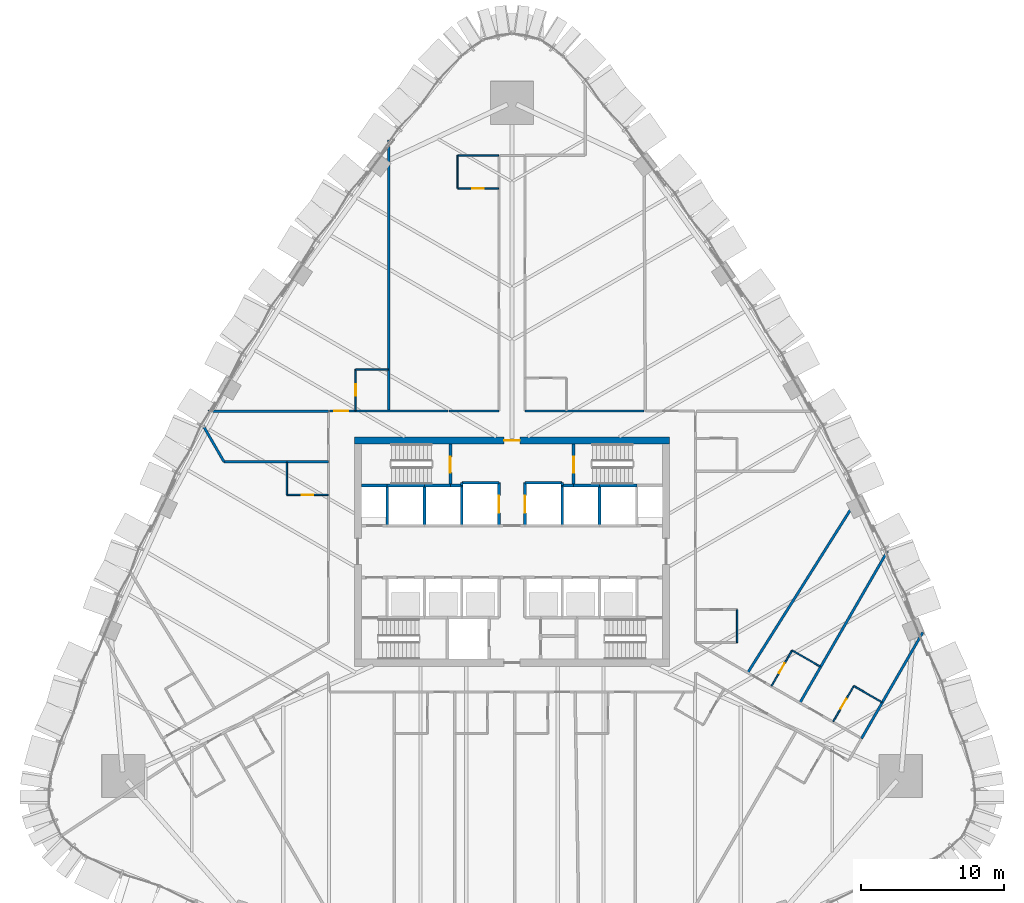
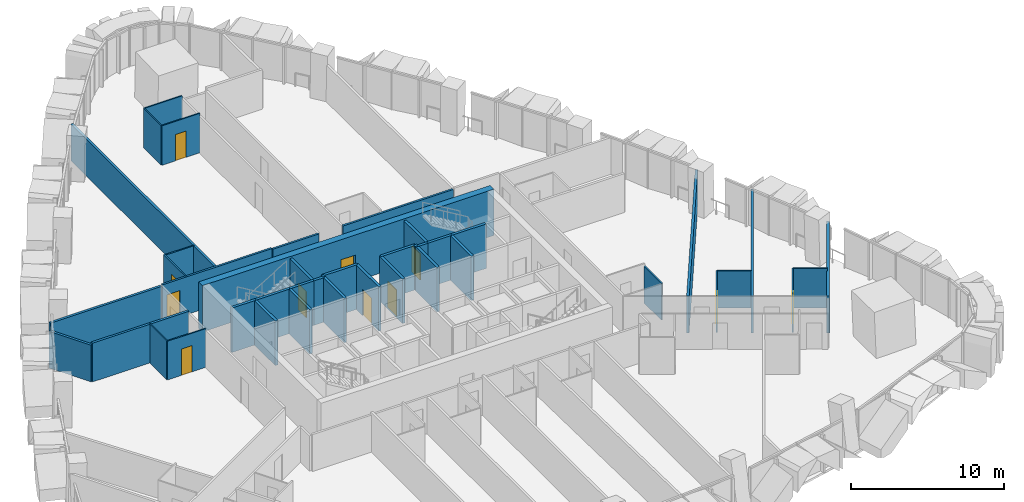
# One storey, part 17 of 23: 43 walls, 11 doors, 11 openings.
"""IFC4 building model written with IfcOpenShell, lengths in metres."""

from ifc_helpers import new_model, si_unit, direction, frame, frame_2d, origin, place, context, subcontext, project, spatial, rectangle, extrude, material, layer, layer_set, type_object, element, fill, save


model = new_model("IFC4")

# Units and contexts
model_context = context("Model", 3, precision=1e-05, world=origin(), true_north=direction((0.0, 1.0)))
body_context = subcontext(model_context, "Body", "Model", "MODEL_VIEW")
ifc_project = project(units=[si_unit("LENGTHUNIT", "METRE"), si_unit("AREAUNIT", "SQUARE_METRE"), si_unit("VOLUMEUNIT", "CUBIC_METRE"), si_unit("PLANEANGLEUNIT", "RADIAN"), si_unit("MASSUNIT", "GRAM", prefix="KILO")], contexts=[model_context])

# Site, building, storey
site_placement = place(None, origin())
site = spatial("IfcSite", under=ifc_project, at=site_placement, CompositionType="ELEMENT")
building_placement = place(site_placement, origin())
building = spatial("IfcBuilding", under=site, at=building_placement, Name="Sierra Prisma Convention Tower", CompositionType="ELEMENT")
storey_placement = place(building_placement, frame((0.0, 0.0, 51.699951171875)))
storey = spatial("IfcBuildingStorey", under=building, at=storey_placement, Name="L08", CompositionType="ELEMENT", Elevation=51.699951171875)

# Wall, opening, door
ifc_material_1 = material(Name="Gypsum board partition", Category="gypsum")
ifc_layer_1 = layer(ifc_material_1, 0.10009765625)
ifc_layer_set_1 = layer_set([ifc_layer_1], Name="Bathroom partition 100")
wall_type_1 = type_object("IfcWallType", Name="Bathroom partition 100", PredefinedType="PARTITIONING", material=ifc_layer_set_1)
wall_1_placement = place(storey_placement, frame((-12.830078125, 3.94921875, 0.0), z_axis=(0.0, 0.0, 1.0), x_axis=(-1.0, 0.0, 0.0)))
wall_1 = element("IfcWall", 1, at=wall_1_placement, inside=storey, type_object=wall_type_1, Name="Partition L08 bath 8", PredefinedType="PARTITIONING", context=body_context, shape_type="SweptSolid", body=[
    extrude(rectangle(XDim=2.869873046875, YDim=0.10009765625, at=frame_2d((1.43505859375, 0.0))), origin(), (0.0, 0.0, 1.0), 3.093017578125),
])
opening_1_placement = place(wall_1_placement, frame((1.034912109375, 0.0, 0.0)))
opening_1 = element("IfcOpeningElement", 2, at=opening_1_placement, cuts=wall_1, Name="Opening L08-D006", PredefinedType="OPENING", context=body_context, shape_type="SweptSolid", body=[
    extrude(rectangle(XDim=0.800048828125, YDim=2.10009765625, at=frame_2d((0.39990234375, 1.050048828125))), frame((0.0, 0.050048828125, 0.0), z_axis=(0.0, -1.0, 0.0), x_axis=(1.0, 0.0, 0.0)), (0.0, 0.0, 1.0), 0.10009765625),
])
ifc_material_2 = material(Name="Solid core timber door leaf", Category="wood")
door_type_1 = type_object("IfcDoorType", Name="Door 800x2100 plain", OperationType="SINGLE_SWING_LEFT", PredefinedType="DOOR", material=ifc_material_2)
door_1_placement = place(opening_1_placement, origin())
door_1 = element("IfcDoor", 3, at=door_1_placement, inside=storey, type_object=door_type_1, Name="Door L08 14", OperationType="SINGLE_SWING_LEFT", OverallHeight=2.10009765625, OverallWidth=0.800048828125, PredefinedType="DOOR", context=body_context, shape_type="SweptSolid", body=[
    extrude(rectangle(XDim=0.800048828125, YDim=2.10009765625, at=frame_2d((0.39990234375, 1.050048828125))), frame((0.0, 0.02490234375, 0.0), z_axis=(0.0, -1.0, 0.0), x_axis=(1.0, 0.0, 0.0)), (0.0, 0.0, 1.0), 0.050048828125),
])
fill(opening_1, door_1)

# Wall
wall_2_placement = place(storey_placement, frame((-15.699951171875, 3.94921875, 0.0), z_axis=(0.0, 0.0, 1.0), x_axis=(0.0, 1.0, 0.0)))
element("IfcWall", 4, at=wall_2_placement, inside=storey, type_object=wall_type_1, Name="Partition L08 bath 9", PredefinedType="PARTITIONING", context=body_context, shape_type="SweptSolid", body=[
    extrude(rectangle(XDim=2.269775390625, YDim=0.10009765625, at=frame_2d((1.134765625, 0.0))), origin(), (0.0, 0.0, 1.0), 3.093017578125),
])

# Wall, opening, door
wall_3_placement = place(storey_placement, frame((-10.89990234375, 9.830078125, 0.0), z_axis=(0.0, 0.0, 1.0), x_axis=(0.0, 1.0, 0.0)))
wall_3 = element("IfcWall", 5, at=wall_3_placement, inside=storey, type_object=wall_type_1, Name="Partition L08 bath 10", PredefinedType="PARTITIONING", context=body_context, shape_type="SweptSolid", body=[
    extrude(rectangle(XDim=2.869873046875, YDim=0.10009765625, at=frame_2d((1.43505859375, 0.0))), origin(), (0.0, 0.0, 1.0), 3.01708984375),
])
opening_2_placement = place(wall_3_placement, frame((1.034912109375, 0.0, 0.0)))
opening_2 = element("IfcOpeningElement", 6, at=opening_2_placement, cuts=wall_3, Name="Opening L08-D005", PredefinedType="OPENING", context=body_context, shape_type="SweptSolid", body=[
    extrude(rectangle(XDim=0.800048828125, YDim=2.10009765625, at=frame_2d((0.39990234375, 1.050048828125))), frame((0.0, 0.050048828125, 0.0), z_axis=(0.0, -1.0, 0.0), x_axis=(1.0, 0.0, 0.0)), (0.0, 0.0, 1.0), 0.10009765625),
])
door_2_placement = place(opening_2_placement, origin())
door_2 = element("IfcDoor", 7, at=door_2_placement, inside=storey, type_object=door_type_1, Name="Door L08 11", OperationType="SINGLE_SWING_LEFT", OverallHeight=2.10009765625, OverallWidth=0.800048828125, PredefinedType="DOOR", context=body_context, shape_type="SweptSolid", body=[
    extrude(rectangle(XDim=0.800048828125, YDim=2.10009765625, at=frame_2d((0.39990234375, 1.050048828125))), frame((0.0, 0.02490234375, 0.0), z_axis=(0.0, -1.0, 0.0), x_axis=(1.0, 0.0, 0.0)), (0.0, 0.0, 1.0), 0.050048828125),
])
fill(opening_2, door_2)

# Wall
wall_4_placement = place(storey_placement, frame((-10.89990234375, 12.699951171875, 0.0), z_axis=(0.0, 0.0, 1.0), x_axis=(1.0, 0.0, 0.0)))
element("IfcWall", 8, at=wall_4_placement, inside=storey, type_object=wall_type_1, Name="Partition L08 bath 11", PredefinedType="PARTITIONING", context=body_context, shape_type="SweptSolid", body=[
    extrude(rectangle(XDim=2.27001953125, YDim=0.10009765625, at=frame_2d((1.135009765625, 0.0))), origin(), (0.0, 0.0, 1.0), 2.947021484375),
])

# Wall, opening, door
wall_5_placement = place(storey_placement, frame((-0.929931640625, 25.3251953125, 0.0), z_axis=(0.0, 0.0, 1.0), x_axis=(-1.0, 0.0, 0.0)))
wall_5 = element("IfcWall", 9, at=wall_5_placement, inside=storey, type_object=wall_type_1, Name="Partition L08 bath 16", PredefinedType="PARTITIONING", context=body_context, shape_type="SweptSolid", body=[
    extrude(rectangle(XDim=2.8701171875, YDim=0.10009765625, at=frame_2d((1.43505859375, 0.0))), origin(), (0.0, 0.0, 1.0), 3.150146484375),
])
opening_3_placement = place(wall_5_placement, frame((1.034912109375, 0.0, 0.0)))
opening_3 = element("IfcOpeningElement", 10, at=opening_3_placement, cuts=wall_5, Name="Opening L08-D004", PredefinedType="OPENING", context=body_context, shape_type="SweptSolid", body=[
    extrude(rectangle(XDim=0.800048828125, YDim=2.10009765625, at=frame_2d((0.39990234375, 1.050048828125))), frame((0.0, 0.050048828125, 0.0), z_axis=(0.0, -1.0, 0.0), x_axis=(1.0, 0.0, 0.0)), (0.0, 0.0, 1.0), 0.10009765625),
])
door_3_placement = place(opening_3_placement, origin())
door_3 = element("IfcDoor", 11, at=door_3_placement, inside=storey, type_object=door_type_1, Name="Door L08 9", OperationType="SINGLE_SWING_RIGHT", OverallHeight=2.10009765625, OverallWidth=0.800048828125, PredefinedType="DOOR", context=body_context, shape_type="SweptSolid", body=[
    extrude(rectangle(XDim=0.800048828125, YDim=2.10009765625, at=frame_2d((0.39990234375, 1.050048828125))), frame((0.0, 0.02490234375, 0.0), z_axis=(0.0, -1.0, 0.0), x_axis=(1.0, 0.0, 0.0)), (0.0, 0.0, 1.0), 0.050048828125),
])
fill(opening_3, door_3)

# Walls
wall_6_placement = place(storey_placement, frame((-3.800048828125, 25.3251953125, 0.0), z_axis=(0.0, 0.0, 1.0), x_axis=(0.0, 1.0, 0.0)))
element("IfcWall", 12, at=wall_6_placement, inside=storey, type_object=wall_type_1, Name="Partition L08 bath 17", PredefinedType="PARTITIONING", context=body_context, shape_type="SweptSolid", body=[
    extrude(rectangle(XDim=2.300048828125, YDim=0.10009765625, at=frame_2d((1.14990234375, 0.0))), origin(), (0.0, 0.0, 1.0), 3.150146484375),
])
wall_7_placement = place(storey_placement, frame((-3.800048828125, 27.625244140625, 0.0), z_axis=(0.0, 0.0, 1.0), x_axis=(1.0, 0.0, 0.0)))
element("IfcWall", 13, at=wall_7_placement, inside=storey, type_object=wall_type_1, Name="Partition L08 bath 18", PredefinedType="PARTITIONING", context=body_context, shape_type="SweptSolid", body=[
    extrude(rectangle(XDim=2.8701171875, YDim=0.10009765625, at=frame_2d((1.43505859375, 0.0))), origin(), (0.0, 0.0, 1.0), 3.150146484375),
])
wall_8_placement = place(storey_placement, frame((15.699951171875, -4.05078125, 0.0), z_axis=(0.0, 0.0, 1.0), x_axis=(0.0, -1.0, 0.0)))
element("IfcWall", 14, at=wall_8_placement, inside=storey, type_object=wall_type_1, Name="Partition L08 bath 29", PredefinedType="PARTITIONING", context=body_context, shape_type="SweptSolid", body=[
    extrude(rectangle(XDim=2.300048828125, YDim=0.10009765625, at=frame_2d((1.14990234375, 0.0))), origin(), (0.0, 0.0, 1.0), 2.947021484375),
])

# Wall, opening, door
wall_9_placement = place(storey_placement, frame((18.097900390625, -9.375, 0.0), z_axis=(0.0, 0.0, 1.0), x_axis=(0.499936001555, 0.866062350151, 0.0)))
wall_9 = element("IfcWall", 15, at=wall_9_placement, inside=storey, type_object=wall_type_1, Name="Partition L08 bath 33", PredefinedType="PARTITIONING", context=body_context, shape_type="SweptSolid", body=[
    extrude(rectangle(XDim=2.8701171875, YDim=0.10009765625, at=frame_2d((1.43505859375, 0.0))), origin(), (0.0, 0.0, 1.0), 2.947021484375),
])
opening_4_placement = place(wall_9_placement, frame((1.034912109375, 0.0, 0.0)))
opening_4 = element("IfcOpeningElement", 16, at=opening_4_placement, cuts=wall_9, Name="Opening L08-D017", PredefinedType="OPENING", context=body_context, shape_type="SweptSolid", body=[
    extrude(rectangle(XDim=0.800048828125, YDim=2.10009765625, at=frame_2d((0.39990234375, 1.050048828125))), frame((0.0, 0.050048828125, 0.0), z_axis=(0.0, -1.0, 0.0), x_axis=(1.0, 0.0, 0.0)), (0.0, 0.0, 1.0), 0.10009765625),
])
door_4_placement = place(opening_4_placement, origin())
door_4 = element("IfcDoor", 17, at=door_4_placement, inside=storey, type_object=door_type_1, Name="Door L08 37", OperationType="SINGLE_SWING_RIGHT", OverallHeight=2.10009765625, OverallWidth=0.800048828125, PredefinedType="DOOR", context=body_context, shape_type="SweptSolid", body=[
    extrude(rectangle(XDim=0.800048828125, YDim=2.10009765625, at=frame_2d((0.39990234375, 1.050048828125))), frame((0.0, 0.02490234375, 0.0), z_axis=(0.0, -1.0, 0.0), x_axis=(1.0, 0.0, 0.0)), (0.0, 0.0, 1.0), 0.050048828125),
])
fill(opening_4, door_4)

# Wall
wall_10_placement = place(storey_placement, frame((19.53271484375, -6.889404296875, 0.0), z_axis=(0.0, 0.0, 1.0), x_axis=(0.866017224141, -0.500014167291, 0.0)))
element("IfcWall", 18, at=wall_10_placement, inside=storey, type_object=wall_type_1, Name="Partition L08 bath 34", PredefinedType="PARTITIONING", context=body_context, shape_type="SweptSolid", body=[
    extrude(rectangle(XDim=2.27001953125, YDim=0.10009765625, at=frame_2d((1.135009765625, 0.0))), origin(), (0.0, 0.0, 1.0), 2.947021484375),
])

# Wall, opening, door
wall_11_placement = place(storey_placement, frame((22.3974609375, -11.857421875, 0.0), z_axis=(0.0, 0.0, 1.0), x_axis=(0.499999802827, 0.866025517622, 0.0)))
wall_11 = element("IfcWall", 19, at=wall_11_placement, inside=storey, type_object=wall_type_1, Name="Partition L08 bath 37", PredefinedType="PARTITIONING", context=body_context, shape_type="SweptSolid", body=[
    extrude(rectangle(XDim=2.8701171875, YDim=0.10009765625, at=frame_2d((1.43505859375, 0.0))), origin(), (0.0, 0.0, 1.0), 3.150146484375),
])
opening_5_placement = place(wall_11_placement, frame((1.034912109375, 0.0, 0.0)))
opening_5 = element("IfcOpeningElement", 20, at=opening_5_placement, cuts=wall_11, Name="Opening L08-D016", PredefinedType="OPENING", context=body_context, shape_type="SweptSolid", body=[
    extrude(rectangle(XDim=0.800048828125, YDim=2.10009765625, at=frame_2d((0.39990234375, 1.050048828125))), frame((0.0, 0.050048828125, 0.0), z_axis=(0.0, -1.0, 0.0), x_axis=(1.0, 0.0, 0.0)), (0.0, 0.0, 1.0), 0.10009765625),
])
door_5_placement = place(opening_5_placement, origin())
door_5 = element("IfcDoor", 21, at=door_5_placement, inside=storey, type_object=door_type_1, Name="Door L08 35", OperationType="SINGLE_SWING_LEFT", OverallHeight=2.10009765625, OverallWidth=0.800048828125, PredefinedType="DOOR", context=body_context, shape_type="SweptSolid", body=[
    extrude(rectangle(XDim=0.800048828125, YDim=2.10009765625, at=frame_2d((0.39990234375, 1.050048828125))), frame((0.0, 0.02490234375, 0.0), z_axis=(0.0, -1.0, 0.0), x_axis=(1.0, 0.0, 0.0)), (0.0, 0.0, 1.0), 0.050048828125),
])
fill(opening_5, door_5)

# Walls
wall_12_placement = place(storey_placement, frame((23.83251953125, -9.371826171875, 0.0), z_axis=(0.0, 0.0, 1.0), x_axis=(0.866017224141, -0.500014167291, 0.0)))
element("IfcWall", 22, at=wall_12_placement, inside=storey, type_object=wall_type_1, Name="Partition L08 bath 38", PredefinedType="PARTITIONING", context=body_context, shape_type="SweptSolid", body=[
    extrude(rectangle(XDim=2.27001953125, YDim=0.10009765625, at=frame_2d((1.135009765625, 0.0))), origin(), (0.0, 0.0, 1.0), 3.150146484375),
])
ifc_material_3 = material(Name="Concrete C30/37", Category="concrete")
ifc_layer_2 = layer(ifc_material_3, 0.199951171875)
ifc_layer_set_2 = layer_set([ifc_layer_2], Name="Core wall RC 200 C30/37")
wall_type_2 = type_object("IfcWallType", Name="Core wall RC 200 C30/37", PredefinedType="SOLIDWALL", material=ifc_layer_set_2)
wall_13_placement = place(storey_placement, frame((-8.699951171875, 4.60009765625, 0.0), z_axis=(0.0, 0.0, 1.0), x_axis=(-1.0, 0.0, 0.0)))
element("IfcWall", 23, at=wall_13_placement, inside=storey, type_object=wall_type_2, Name="Core wall L08 4", PredefinedType="SOLIDWALL", context=body_context, shape_type="SweptSolid", body=[
    extrude(rectangle(XDim=1.800048828125, YDim=0.199951171875, at=frame_2d((0.89990234375, 0.0))), origin(), (0.0, 0.0, 1.0), 3.550048828125),
])
wall_14_placement = place(storey_placement, frame((-8.699951171875, 1.800048828125, 0.0), z_axis=(0.0, 0.0, 1.0), x_axis=(0.0, 1.0, 0.0)))
element("IfcWall", 24, at=wall_14_placement, inside=storey, type_object=wall_type_2, Name="Core wall L08 9", PredefinedType="SOLIDWALL", context=body_context, shape_type="SweptSolid", body=[
    extrude(rectangle(XDim=2.800048828125, YDim=0.199951171875, at=frame_2d((1.39990234375, 0.0))), origin(), (0.0, 0.0, 1.0), 3.550048828125),
])
wall_15_placement = place(storey_placement, frame((-6.10009765625, 4.60009765625, 0.0), z_axis=(0.0, 0.0, 1.0), x_axis=(-1.0, 0.0, 0.0)))
element("IfcWall", 25, at=wall_15_placement, inside=storey, type_object=wall_type_2, Name="Core wall L08 10", PredefinedType="SOLIDWALL", context=body_context, shape_type="SweptSolid", body=[
    extrude(rectangle(XDim=2.599853515625, YDim=0.199951171875, at=frame_2d((1.2998046875, 0.0))), origin(), (0.0, 0.0, 1.0), 3.550048828125),
])
wall_16_placement = place(storey_placement, frame((-6.10009765625, 1.800048828125, 0.0), z_axis=(0.0, 0.0, 1.0), x_axis=(0.0, 1.0, 0.0)))
element("IfcWall", 26, at=wall_16_placement, inside=storey, type_object=wall_type_2, Name="Core wall L08 15", PredefinedType="SOLIDWALL", context=body_context, shape_type="SweptSolid", body=[
    extrude(rectangle(XDim=2.800048828125, YDim=0.199951171875, at=frame_2d((1.39990234375, 0.0))), origin(), (0.0, 0.0, 1.0), 3.550048828125),
])
wall_17_placement = place(storey_placement, frame((-4.300048828125, 4.60009765625, 0.0), z_axis=(0.0, 0.0, 1.0), x_axis=(-1.0, 0.0, 0.0)))
element("IfcWall", 27, at=wall_17_placement, inside=storey, type_object=wall_type_2, Name="Core wall L08 16", PredefinedType="SOLIDWALL", context=body_context, shape_type="SweptSolid", body=[
    extrude(rectangle(XDim=1.800048828125, YDim=0.199951171875, at=frame_2d((0.89990234375, 0.0))), origin(), (0.0, 0.0, 1.0), 3.550048828125),
])
wall_18_placement = place(storey_placement, frame((-3.5, 4.60009765625, 0.0), z_axis=(0.0, 0.0, 1.0), x_axis=(-1.0, 0.0, 0.0)))
element("IfcWall", 28, at=wall_18_placement, inside=storey, type_object=wall_type_2, Name="Core wall L08 19", PredefinedType="SOLIDWALL", context=body_context, shape_type="SweptSolid", body=[
    extrude(rectangle(XDim=0.800048828125, YDim=0.199951171875, at=frame_2d((0.39990234375, 0.0))), origin(), (0.0, 0.0, 1.0), 3.550048828125),
])

# Wall, opening, door
wall_19_placement = place(storey_placement, frame((-4.300048828125, 4.60009765625, 0.0), z_axis=(0.0, 0.0, 1.0), x_axis=(0.0, 1.0, 0.0)))
wall_19 = element("IfcWall", 29, at=wall_19_placement, inside=storey, type_object=wall_type_2, Name="Core wall L08 20", PredefinedType="SOLIDWALL", context=body_context, shape_type="SweptSolid", body=[
    extrude(rectangle(XDim=2.89990234375, YDim=0.199951171875, at=frame_2d((1.449951171875, 0.0))), origin(), (0.0, 0.0, 1.0), 3.550048828125),
])
opening_6_placement = place(wall_19_placement, frame((0.89990234375, 0.0, 0.0)))
opening_6 = element("IfcOpeningElement", 30, at=opening_6_placement, cuts=wall_19, Name="Opening L08-D035", PredefinedType="OPENING", context=body_context, shape_type="SweptSolid", body=[
    extrude(rectangle(XDim=1.10009765625, YDim=2.10009765625, at=frame_2d((0.550048828125, 1.050048828125))), frame((0.0, 0.10009765625, 0.0), z_axis=(0.0, -1.0, 0.0), x_axis=(1.0, 0.0, 0.0)), (0.0, 0.0, 1.0), 0.199951171875),
])
ifc_material_4 = material(Name="Steel fire door leaf", Category="steel")
door_type_2 = type_object("IfcDoorType", Name="Door 1100x2100 FD90S", OperationType="SINGLE_SWING_LEFT", PredefinedType="DOOR", material=ifc_material_4)
door_6_placement = place(opening_6_placement, origin())
door_6 = element("IfcDoor", 31, at=door_6_placement, inside=storey, type_object=door_type_2, Name="Door L08 55", OperationType="SINGLE_SWING_RIGHT", OverallHeight=2.10009765625, OverallWidth=1.10009765625, PredefinedType="DOOR", context=body_context, shape_type="SweptSolid", body=[
    extrude(rectangle(XDim=1.10009765625, YDim=2.10009765625, at=frame_2d((0.550048828125, 1.050048828125))), frame((0.0, 0.02490234375, 0.0), z_axis=(0.0, -1.0, 0.0), x_axis=(1.0, 0.0, 0.0)), (0.0, 0.0, 1.0), 0.050048828125),
])
fill(opening_6, door_6)

# Wall
wall_20_placement = place(storey_placement, frame((-3.5, 4.60009765625, 0.0), z_axis=(0.0, 0.0, 1.0), x_axis=(0.0, -1.0, 0.0)))
element("IfcWall", 32, at=wall_20_placement, inside=storey, type_object=wall_type_2, Name="Core wall L08 25", PredefinedType="SOLIDWALL", context=body_context, shape_type="SweptSolid", body=[
    extrude(rectangle(XDim=2.800048828125, YDim=0.199951171875, at=frame_2d((1.39990234375, 0.0))), origin(), (0.0, 0.0, 1.0), 3.550048828125),
])

# Wall, opening, door
wall_21_placement = place(storey_placement, frame((-0.89990234375, 1.800048828125, 0.0), z_axis=(0.0, 0.0, 1.0), x_axis=(0.0, 1.0, 0.0)))
wall_21 = element("IfcWall", 33, at=wall_21_placement, inside=storey, type_object=wall_type_2, Name="Core wall L08 26", PredefinedType="SOLIDWALL", context=body_context, shape_type="SweptSolid", body=[
    extrude(rectangle(XDim=3.0, YDim=0.199951171875, at=frame_2d((1.5, 0.0))), origin(), (0.0, 0.0, 1.0), 3.550048828125),
])
opening_7_placement = place(wall_21_placement, frame((0.89990234375, 0.0, 0.0)))
opening_7 = element("IfcOpeningElement", 34, at=opening_7_placement, cuts=wall_21, Name="Opening L08-D024", PredefinedType="OPENING", context=body_context, shape_type="SweptSolid", body=[
    extrude(rectangle(XDim=1.199951171875, YDim=2.10009765625, at=frame_2d((0.60009765625, 1.050048828125))), frame((0.0, 0.10009765625, 0.0), z_axis=(0.0, -1.0, 0.0), x_axis=(1.0, 0.0, 0.0)), (0.0, 0.0, 1.0), 0.199951171875),
])
ifc_material_5 = material(Name="Steel fire door leaf", Category="steel")
door_type_3 = type_object("IfcDoorType", Name="Door 1200x2100 EI 90 sliding lift landing", OperationType="SLIDING_TO_LEFT", PredefinedType="DOOR", material=ifc_material_5)
door_7_placement = place(opening_7_placement, origin())
door_7 = element("IfcDoor", 35, at=door_7_placement, inside=storey, type_object=door_type_3, Name="Door L08 44", OperationType="SLIDING_TO_LEFT", OverallHeight=2.10009765625, OverallWidth=1.199951171875, PredefinedType="DOOR", context=body_context, shape_type="SweptSolid", body=[
    extrude(rectangle(XDim=1.199951171875, YDim=2.10009765625, at=frame_2d((0.60009765625, 1.050048828125))), frame((0.0, 0.02490234375, 0.0), z_axis=(0.0, -1.0, 0.0), x_axis=(1.0, 0.0, 0.0)), (0.0, 0.0, 1.0), 0.050048828125),
])
fill(opening_7, door_7)

# Walls
wall_22_placement = place(storey_placement, frame((-0.89990234375, 4.800048828125, 0.0), z_axis=(0.0, 0.0, 1.0), x_axis=(-1.0, 0.0, 0.0)))
element("IfcWall", 36, at=wall_22_placement, inside=storey, type_object=wall_type_2, Name="Core wall L08 27", PredefinedType="SOLIDWALL", context=body_context, shape_type="SweptSolid", body=[
    extrude(rectangle(XDim=2.60009765625, YDim=0.199951171875, at=frame_2d((1.300048828125, 0.0))), origin(), (0.0, 0.0, 1.0), 3.550048828125),
])
for number, where, z_axis, x_axis, name in (
    (37, (-3.5, 4.800048828125, 0.0), (0.0, 0.0, 1.0), (0.0, -1.0, 0.0), "Core wall L08 28"),
    (38, (3.5, 4.60009765625, 0.0), (0.0, 0.0, 1.0), (0.0, 1.0, 0.0), "Core wall L08 38"),
):
    element("IfcWall", number, at=place(storey_placement, frame(where, z_axis=z_axis, x_axis=x_axis)), inside=storey, type_object=wall_type_2, Name=name, PredefinedType="SOLIDWALL", context=body_context, shape_type="SweptSolid", body=[
        extrude(rectangle(XDim=0.199951171875, YDim=0.199951171875, at=frame_2d((0.10009765625, 0.0))), origin(), (0.0, 0.0, 1.0), 3.550048828125),
    ])
wall_23_placement = place(storey_placement, frame((3.5, 4.800048828125, 0.0), z_axis=(0.0, 0.0, 1.0), x_axis=(-1.0, 0.0, 0.0)))
element("IfcWall", 39, at=wall_23_placement, inside=storey, type_object=wall_type_2, Name="Core wall L08 39", PredefinedType="SOLIDWALL", context=body_context, shape_type="SweptSolid", body=[
    extrude(rectangle(XDim=2.60009765625, YDim=0.199951171875, at=frame_2d((1.300048828125, 0.0))), origin(), (0.0, 0.0, 1.0), 3.550048828125),
])

# Wall, opening, door
wall_24_placement = place(storey_placement, frame((0.89990234375, 4.800048828125, 0.0), z_axis=(0.0, 0.0, 1.0), x_axis=(0.0, -1.0, 0.0)))
wall_24 = element("IfcWall", 40, at=wall_24_placement, inside=storey, type_object=wall_type_2, Name="Core wall L08 40", PredefinedType="SOLIDWALL", context=body_context, shape_type="SweptSolid", body=[
    extrude(rectangle(XDim=3.0, YDim=0.199951171875, at=frame_2d((1.5, 0.0))), origin(), (0.0, 0.0, 1.0), 3.550048828125),
])
opening_8_placement = place(wall_24_placement, frame((0.89990234375, 0.0, 0.0)))
opening_8 = element("IfcOpeningElement", 41, at=opening_8_placement, cuts=wall_24, Name="Opening L08-D025", PredefinedType="OPENING", context=body_context, shape_type="SweptSolid", body=[
    extrude(rectangle(XDim=1.199951171875, YDim=2.10009765625, at=frame_2d((0.60009765625, 1.050048828125))), frame((0.0, 0.10009765625, 0.0), z_axis=(0.0, -1.0, 0.0), x_axis=(1.0, 0.0, 0.0)), (0.0, 0.0, 1.0), 0.199951171875),
])
door_8_placement = place(opening_8_placement, origin())
door_8 = element("IfcDoor", 42, at=door_8_placement, inside=storey, type_object=door_type_3, Name="Door L08 45", OperationType="SLIDING_TO_LEFT", OverallHeight=2.10009765625, OverallWidth=1.199951171875, PredefinedType="DOOR", context=body_context, shape_type="SweptSolid", body=[
    extrude(rectangle(XDim=1.199951171875, YDim=2.10009765625, at=frame_2d((0.60009765625, 1.050048828125))), frame((0.0, 0.02490234375, 0.0), z_axis=(0.0, -1.0, 0.0), x_axis=(1.0, 0.0, 0.0)), (0.0, 0.0, 1.0), 0.050048828125),
])
fill(opening_8, door_8)

# Walls
wall_25_placement = place(storey_placement, frame((3.5, 1.800048828125, 0.0), z_axis=(0.0, 0.0, 1.0), x_axis=(0.0, 1.0, 0.0)))
element("IfcWall", 43, at=wall_25_placement, inside=storey, type_object=wall_type_2, Name="Core wall L08 49", PredefinedType="SOLIDWALL", context=body_context, shape_type="SweptSolid", body=[
    extrude(rectangle(XDim=2.800048828125, YDim=0.199951171875, at=frame_2d((1.39990234375, 0.0))), origin(), (0.0, 0.0, 1.0), 3.550048828125),
])
wall_26_placement = place(storey_placement, frame((4.300048828125, 4.60009765625, 0.0), z_axis=(0.0, 0.0, 1.0), x_axis=(-1.0, 0.0, 0.0)))
element("IfcWall", 44, at=wall_26_placement, inside=storey, type_object=wall_type_2, Name="Core wall L08 50", PredefinedType="SOLIDWALL", context=body_context, shape_type="SweptSolid", body=[
    extrude(rectangle(XDim=0.800048828125, YDim=0.199951171875, at=frame_2d((0.39990234375, 0.0))), origin(), (0.0, 0.0, 1.0), 3.550048828125),
])
wall_27_placement = place(storey_placement, frame((6.10009765625, 4.60009765625, 0.0), z_axis=(0.0, 0.0, 1.0), x_axis=(-1.0, 0.0, 0.0)))
element("IfcWall", 45, at=wall_27_placement, inside=storey, type_object=wall_type_2, Name="Core wall L08 51", PredefinedType="SOLIDWALL", context=body_context, shape_type="SweptSolid", body=[
    extrude(rectangle(XDim=1.800048828125, YDim=0.199951171875, at=frame_2d((0.89990234375, 0.0))), origin(), (0.0, 0.0, 1.0), 3.550048828125),
])

# Wall, opening, door
wall_28_placement = place(storey_placement, frame((4.300048828125, 7.5, 0.0), z_axis=(0.0, 0.0, 1.0), x_axis=(0.0, -1.0, 0.0)))
wall_28 = element("IfcWall", 46, at=wall_28_placement, inside=storey, type_object=wall_type_2, Name="Core wall L08 52", PredefinedType="SOLIDWALL", context=body_context, shape_type="SweptSolid", body=[
    extrude(rectangle(XDim=2.89990234375, YDim=0.199951171875, at=frame_2d((1.449951171875, 0.0))), origin(), (0.0, 0.0, 1.0), 3.550048828125),
])
opening_9_placement = place(wall_28_placement, frame((0.89990234375, 0.0, 0.0)))
opening_9 = element("IfcOpeningElement", 47, at=opening_9_placement, cuts=wall_28, Name="Opening L08-D036", PredefinedType="OPENING", context=body_context, shape_type="SweptSolid", body=[
    extrude(rectangle(XDim=1.10009765625, YDim=2.10009765625, at=frame_2d((0.550048828125, 1.050048828125))), frame((0.0, 0.10009765625, 0.0), z_axis=(0.0, -1.0, 0.0), x_axis=(1.0, 0.0, 0.0)), (0.0, 0.0, 1.0), 0.199951171875),
])
door_9_placement = place(opening_9_placement, origin())
door_9 = element("IfcDoor", 48, at=door_9_placement, inside=storey, type_object=door_type_2, Name="Door L08 56", OperationType="SINGLE_SWING_LEFT", OverallHeight=2.10009765625, OverallWidth=1.10009765625, PredefinedType="DOOR", context=body_context, shape_type="SweptSolid", body=[
    extrude(rectangle(XDim=1.10009765625, YDim=2.10009765625, at=frame_2d((0.550048828125, 1.050048828125))), frame((0.0, 0.02490234375, 0.0), z_axis=(0.0, -1.0, 0.0), x_axis=(1.0, 0.0, 0.0)), (0.0, 0.0, 1.0), 0.050048828125),
])
fill(opening_9, door_9)

# Walls
wall_29_placement = place(storey_placement, frame((6.10009765625, 1.800048828125, 0.0), z_axis=(0.0, 0.0, 1.0), x_axis=(0.0, 1.0, 0.0)))
element("IfcWall", 49, at=wall_29_placement, inside=storey, type_object=wall_type_2, Name="Core wall L08 60", PredefinedType="SOLIDWALL", context=body_context, shape_type="SweptSolid", body=[
    extrude(rectangle(XDim=2.800048828125, YDim=0.199951171875, at=frame_2d((1.39990234375, 0.0))), origin(), (0.0, 0.0, 1.0), 3.550048828125),
])
wall_30_placement = place(storey_placement, frame((8.699951171875, 4.60009765625, 0.0), z_axis=(0.0, 0.0, 1.0), x_axis=(-1.0, 0.0, 0.0)))
element("IfcWall", 50, at=wall_30_placement, inside=storey, type_object=wall_type_2, Name="Core wall L08 61", PredefinedType="SOLIDWALL", context=body_context, shape_type="SweptSolid", body=[
    extrude(rectangle(XDim=2.599853515625, YDim=0.199951171875, at=frame_2d((1.2998046875, 0.0))), origin(), (0.0, 0.0, 1.0), 3.550048828125),
])

# Wall, opening, door
ifc_material_6 = material(Name="Concrete C60/75", Category="concrete")
ifc_layer_3 = layer(ifc_material_6, 0.5)
ifc_layer_set_3 = layer_set([ifc_layer_3], Name="Core wall RC 500 C60/75")
wall_type_3 = type_object("IfcWallType", Name="Core wall RC 500 C60/75", PredefinedType="SHEAR", material=ifc_layer_set_3)
wall_31_placement = place(storey_placement, frame((-11.0, 7.75, 0.0), z_axis=(0.0, 0.0, 1.0), x_axis=(1.0, 0.0, 0.0)))
wall_31 = element("IfcWall", 51, at=wall_31_placement, inside=storey, type_object=wall_type_3, Name="Core wall N L08", PredefinedType="SHEAR", context=body_context, shape_type="SweptSolid", body=[
    extrude(rectangle(XDim=22.0, YDim=0.5, at=frame_2d((11.0, 0.0))), origin(), (0.0, 0.0, 1.0), 3.699951171875),
])
opening_10_placement = place(wall_31_placement, frame((10.449951171875, 0.0, 0.0)))
opening_10 = element("IfcOpeningElement", 52, at=opening_10_placement, cuts=wall_31, Name="Opening L08-D060", PredefinedType="OPENING", context=body_context, shape_type="SweptSolid", body=[
    extrude(rectangle(XDim=1.10009765625, YDim=2.10009765625, at=frame_2d((0.550048828125, 1.050048828125))), frame((0.0, 0.25, 0.0), z_axis=(0.0, -1.0, 0.0), x_axis=(1.0, 0.0, 0.0)), (0.0, 0.0, 1.0), 0.5),
])
ifc_material_7 = material(Name="Steel fire door leaf", Category="steel")
door_type_4 = type_object("IfcDoorType", Name="Door 1100x2100 FD60S", OperationType="SINGLE_SWING_LEFT", PredefinedType="DOOR", material=ifc_material_7)
door_10_placement = place(opening_10_placement, origin())
door_10 = element("IfcDoor", 53, at=door_10_placement, inside=storey, type_object=door_type_4, Name="Door L08 61", OperationType="SINGLE_SWING_RIGHT", OverallHeight=2.10009765625, OverallWidth=1.10009765625, PredefinedType="DOOR", context=body_context, shape_type="SweptSolid", body=[
    extrude(rectangle(XDim=1.10009765625, YDim=2.10009765625, at=frame_2d((0.550048828125, 1.050048828125))), frame((0.0, 0.02490234375, 0.0), z_axis=(0.0, -1.0, 0.0), x_axis=(1.0, 0.0, 0.0)), (0.0, 0.0, 1.0), 0.050048828125),
])
fill(opening_10, door_10)

ifc_material_8 = material(Name="Gypsum board partition", Category="gypsum")
ifc_layer_4 = layer(ifc_material_8, 0.14990234375)
ifc_layer_set_4 = layer_set([ifc_layer_4], Name="Corridor wall 150 gypsum EI 60")
wall_type_4 = type_object("IfcWallType", Name="Corridor wall 150 gypsum EI 60", PredefinedType="PARTITIONING", material=ifc_layer_set_4)
wall_32_placement = place(storey_placement, frame((-4.47998046875, 9.800048828125, 0.0), z_axis=(0.0, 0.0, 1.0), x_axis=(-1.0, 0.0, 0.0)))
wall_32 = element("IfcWall", 54, at=wall_32_placement, inside=storey, type_object=wall_type_4, Name="Partition L08 corr 7", PredefinedType="PARTITIONING", context=body_context, shape_type="SweptSolid", body=[
    extrude(rectangle(XDim=8.239990234375, YDim=0.14990234375, at=frame_2d((4.1201171875, 0.0))), origin(), (0.0, 0.0, 1.0), 3.01708984375),
])
opening_11_placement = place(wall_32_placement, frame((6.929931640625, 0.0, 0.0)))
opening_11 = element("IfcOpeningElement", 55, at=opening_11_placement, cuts=wall_32, Name="Opening L08-D044", PredefinedType="OPENING", context=body_context, shape_type="SweptSolid", body=[
    extrude(rectangle(XDim=1.0, YDim=2.10009765625, at=frame_2d((0.5, 1.050048828125))), frame((0.0, 0.074951171875, 0.0), z_axis=(0.0, -1.0, 0.0), x_axis=(1.0, 0.0, 0.0)), (0.0, 0.0, 1.0), 0.14990234375),
])
ifc_material_9 = material(Name="Steel fire door leaf", Category="steel")
door_type_5 = type_object("IfcDoorType", Name="Door 1000x2100 FD30S", OperationType="SINGLE_SWING_LEFT", PredefinedType="DOOR", material=ifc_material_9)
door_11_placement = place(opening_11_placement, origin())
door_11 = element("IfcDoor", 56, at=door_11_placement, inside=storey, type_object=door_type_5, Name="Door L08 10", OperationType="SINGLE_SWING_RIGHT", OverallHeight=2.10009765625, OverallWidth=1.0, PredefinedType="DOOR", context=body_context, shape_type="SweptSolid", body=[
    extrude(rectangle(XDim=1.0, YDim=2.10009765625, at=frame_2d((0.5, 1.050048828125))), frame((0.0, 0.02490234375, 0.0), z_axis=(0.0, -1.0, 0.0), x_axis=(1.0, 0.0, 0.0)), (0.0, 0.0, 1.0), 0.050048828125),
])
fill(opening_11, door_11)

# Walls
wall_33_placement = place(storey_placement, frame((-0.89990234375, 9.800048828125, 0.0), z_axis=(0.0, 0.0, 1.0), x_axis=(-1.0, 0.0, 0.0)))
element("IfcWall", 57, at=wall_33_placement, inside=storey, type_object=wall_type_4, Name="Partition L08 corr 9", PredefinedType="PARTITIONING", context=body_context, shape_type="SweptSolid", body=[
    extrude(rectangle(XDim=3.5, YDim=0.14990234375, at=frame_2d((1.75, 0.0))), origin(), (0.0, 0.0, 1.0), 2.947021484375),
])
wall_34_placement = place(storey_placement, frame((9.219970703125, 9.800048828125, 0.0), z_axis=(0.0, 0.0, 1.0), x_axis=(-1.0, 0.0, 0.0)))
element("IfcWall", 58, at=wall_34_placement, inside=storey, type_object=wall_type_4, Name="Partition L08 corr 11", PredefinedType="PARTITIONING", context=body_context, shape_type="SweptSolid", body=[
    extrude(rectangle(XDim=8.320068359375, YDim=0.14990234375, at=frame_2d((4.16015625, 0.0))), origin(), (0.0, 0.0, 1.0), 2.947021484375),
])
ifc_material_10 = material(Name="Acoustic gypsum board partition", Category="gypsum")
ifc_layer_5 = layer(ifc_material_10, 0.175048828125)
ifc_layer_set_5 = layer_set([ifc_layer_5], Name="Guest room party wall 175 acoustic EI 60")
wall_type_5 = type_object("IfcWallType", Name="Guest room party wall 175 acoustic EI 60", PredefinedType="PARTITIONING", material=ifc_layer_set_5)
wall_35_placement = place(storey_placement, frame((-21.6591796875, 8.99365234375, 0.0), z_axis=(0.0, 0.0, 1.0), x_axis=(0.49996696679, -0.866044474677, 0.0)))
element("IfcWall", 59, at=wall_35_placement, inside=storey, type_object=wall_type_5, Name="Partition L08 hparty 4", PredefinedType="PARTITIONING", context=body_context, shape_type="SweptSolid", body=[
    extrude(rectangle(XDim=3.169189453125, YDim=0.175048828125, at=frame_2d((1.58447265625, 0.0))), origin(), (0.0, 0.0, 1.0), 2.93408203125),
])
wall_36_placement = place(storey_placement, frame((-20.07470703125, 6.2490234375, 0.0), z_axis=(0.0, 0.0, 1.0), x_axis=(1.0, 0.0, 0.0)))
element("IfcWall", 60, at=wall_36_placement, inside=storey, type_object=wall_type_5, Name="Partition L08 hparty 5", PredefinedType="PARTITIONING", context=body_context, shape_type="SweptSolid", body=[
    extrude(rectangle(XDim=7.274658203125, YDim=0.175048828125, at=frame_2d((3.63720703125, 0.0))), origin(), (0.0, 0.0, 1.0), 3.093017578125),
])
wall_37_placement = place(storey_placement, frame((-12.800048828125, 9.800048828125, 0.0), z_axis=(0.0, 0.0, 1.0), x_axis=(-1.0, 0.0, 0.0)))
element("IfcWall", 61, at=wall_37_placement, inside=storey, type_object=wall_type_5, Name="Partition L08 hparty 6", PredefinedType="PARTITIONING", context=body_context, shape_type="SweptSolid", body=[
    extrude(rectangle(XDim=8.412109375, YDim=0.175048828125, at=frame_2d((4.2060546875, 0.0))), origin(), (0.0, 0.0, 1.0), 2.93408203125),
])
wall_38_placement = place(storey_placement, frame((-8.60009765625, 9.800048828125, 0.0), z_axis=(0.0, 0.0, 1.0), x_axis=(0.0, 1.0, 0.0)))
element("IfcWall", 62, at=wall_38_placement, inside=storey, type_object=wall_type_5, Name="Partition L08 hparty 8", PredefinedType="PARTITIONING", context=body_context, shape_type="SweptSolid", body=[
    extrude(rectangle(XDim=18.91064453125, YDim=0.175048828125, at=frame_2d((9.455322265625, 0.0))), origin(), (0.0, 0.0, 1.0), 2.93408203125),
])
wall_39_placement = place(storey_placement, frame((24.119873046875, 3.738525390625, 0.0), z_axis=(0.0, 0.0, 1.0), x_axis=(-0.533199701386, -0.845989407996, 0.0)))
element("IfcWall", 63, at=wall_39_placement, inside=storey, type_object=wall_type_5, Name="Partition L08 hparty 23", PredefinedType="PARTITIONING", context=body_context, shape_type="SweptSolid", body=[
    extrude(rectangle(XDim=14.408447265625, YDim=0.175048828125, at=frame_2d((7.2041015625, 0.0))), origin(), (0.0, 0.0, 1.0), 2.947021484375),
])
wall_40_placement = place(storey_placement, frame((20.07470703125, -10.55078125, 0.0), z_axis=(0.0, 0.0, 1.0), x_axis=(0.500002172007, 0.866024149772, 0.0)))
element("IfcWall", 64, at=wall_40_placement, inside=storey, type_object=wall_type_5, Name="Partition L08 hparty 24", PredefinedType="PARTITIONING", context=body_context, shape_type="SweptSolid", body=[
    extrude(rectangle(XDim=12.21435546875, YDim=0.175048828125, at=frame_2d((6.107177734375, 0.0))), origin(), (0.0, 0.0, 1.0), 2.93408203125),
])
wall_41_placement = place(storey_placement, frame((24.374267578125, -13.033203125, 0.0), z_axis=(0.0, 0.0, 1.0), x_axis=(0.499992885873, 0.866029511089, 0.0)))
element("IfcWall", 65, at=wall_41_placement, inside=storey, type_object=wall_type_5, Name="Partition L08 hparty 25", PredefinedType="PARTITIONING", context=body_context, shape_type="SweptSolid", body=[
    extrude(rectangle(XDim=8.5439453125, YDim=0.175048828125, at=frame_2d((4.27197265625, 0.0))), origin(), (0.0, 0.0, 1.0), 2.93408203125),
])

save(model, "model.ifc")
